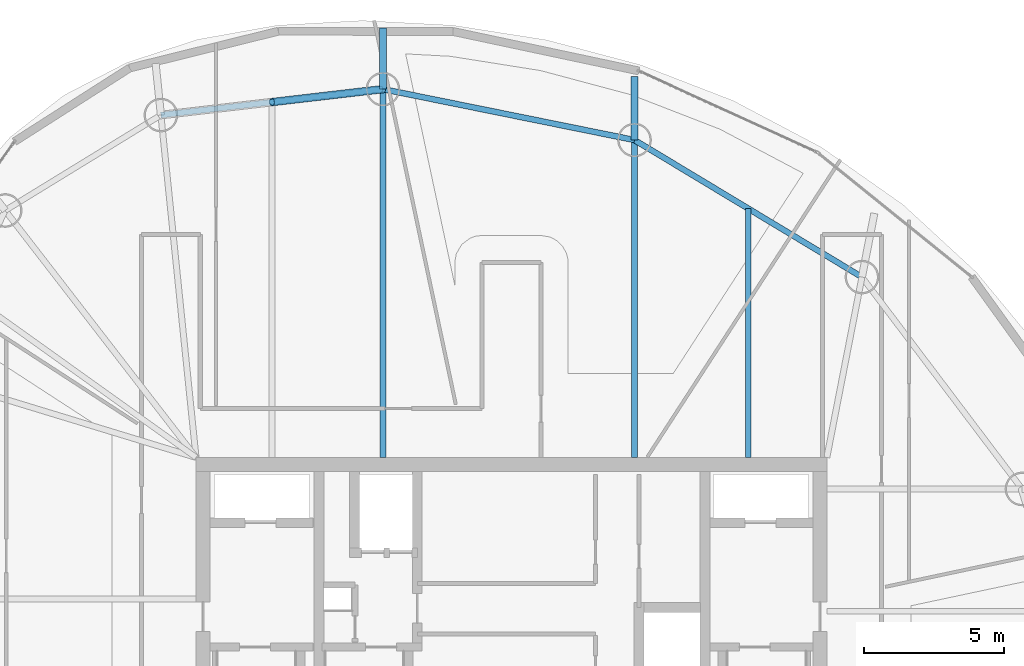
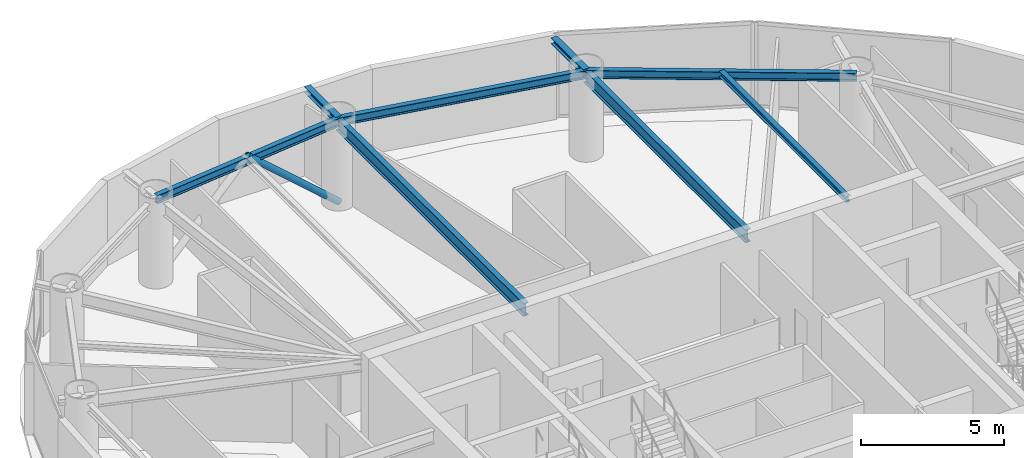
# One storey, part 9 of 19: 8 beams, 1 member.
"""IFC4 building model written with IfcOpenShell, lengths in metres."""

from ifc_helpers import new_model, si_unit, direction, frame, origin, origin_2d, place, context, subcontext, project, spatial, hollow_circle, i_section, extrude, material, material_profile, profile_set, type_object, element, save


model = new_model("IFC4")

# Units and contexts
model_context = context("Model", 3, precision=1e-05, world=origin(), true_north=direction((0.0, 1.0)))
body_context = subcontext(model_context, "Body", "Model", "MODEL_VIEW")
ifc_project = project(units=[si_unit("LENGTHUNIT", "METRE"), si_unit("AREAUNIT", "SQUARE_METRE"), si_unit("VOLUMEUNIT", "CUBIC_METRE"), si_unit("PLANEANGLEUNIT", "RADIAN"), si_unit("MASSUNIT", "GRAM", prefix="KILO")], contexts=[model_context])

# Site, building, storey
site_placement = place(None, origin())
site = spatial("IfcSite", under=ifc_project, at=site_placement, CompositionType="ELEMENT")
building_placement = place(site_placement, origin())
building = spatial("IfcBuilding", under=site, at=building_placement, Name="Bramvorn Convention Spire", CompositionType="ELEMENT")
storey_placement = place(building_placement, frame((0.0, 0.0, 217.39990234375)))
storey = spatial("IfcBuildingStorey", under=building, at=storey_placement, Name="L55", CompositionType="ELEMENT", Elevation=217.39990234375)

# Beams
ifc_material = material(Name="Steel CSA G40.21 Grade 350 (350W)", Category="steel")
ifc_material_profile_1 = material_profile(ifc_material, i_section(OverallWidth=0.201904296875, OverallDepth=0.2470703125, WebThickness=0.00732421875, FlangeThickness=0.010986328125, FilletRadius=0.011962890625, at=origin_2d()))
ifc_profile_set_1 = profile_set([ifc_material_profile_1], Name="Steel CSA G40.21 Grade 350 (350W) - W250X49")
beam_type_1 = type_object("IfcBeamType", Name="BM-W250X49", PredefinedType="JOIST", material=ifc_profile_set_1)
beam_1_placement = place(storey_placement, frame((46.445556640625, 33.449951171875, 3.49658203125), z_axis=(0.0, 1.0, 0.0), x_axis=(-1.0, 0.0, 0.0)))
element("IfcBeam", 1, at=beam_1_placement, inside=storey, type_object=beam_type_1, Name="L55 composite floor joist 05", PredefinedType="JOIST", context=body_context, shape_type="SweptSolid", body=[
    extrude(i_section(OverallWidth=0.201904296875, OverallDepth=0.2470703125, WebThickness=0.00732421875, FlangeThickness=0.010986328125, FilletRadius=0.011962890625, at=origin_2d()), origin(), (0.0, 0.0, 1.0), 8.878662109375),
])
ifc_material_profile_2 = material_profile(ifc_material, i_section(OverallWidth=0.25390625, OverallDepth=0.2529296875, WebThickness=0.008544921875, FlangeThickness=0.01416015625, FilletRadius=0.011962890625, at=origin_2d()))
ifc_profile_set_2 = profile_set([ifc_material_profile_2], Name="Steel CSA G40.21 Grade 350 (350W) - W250X73")
beam_type_2 = type_object("IfcBeamType", Name="BM-W250X73", PredefinedType="BEAM", material=ifc_profile_set_2)
beam_2_placement = place(storey_placement, frame((42.38916015625, 44.772216796875, 3.49365234375), z_axis=(0.0, 1.0, 0.0), x_axis=(-1.0, 0.0, 0.0)))
element("IfcBeam", 2, at=beam_2_placement, inside=storey, type_object=beam_type_2, Name="L55 slab-edge cantilever tip beam MC06", PredefinedType="BEAM", context=body_context, shape_type="SweptSolid", body=[
    extrude(i_section(OverallWidth=0.25390625, OverallDepth=0.2529296875, WebThickness=0.008544921875, FlangeThickness=0.01416015625, FilletRadius=0.011962890625, at=origin_2d()), origin(), (0.0, 0.0, 1.0), 2.258544921875),
])
beam_3_placement = place(storey_placement, frame((33.416259765625, 46.58837890625, 3.49365234375), z_axis=(0.0, 1.0, 0.0), x_axis=(-1.0, 0.0, 0.0)))
element("IfcBeam", 3, at=beam_3_placement, inside=storey, type_object=beam_type_2, Name="L55 slab-edge cantilever tip beam MC07", PredefinedType="BEAM", context=body_context, shape_type="SweptSolid", body=[
    extrude(i_section(OverallWidth=0.25390625, OverallDepth=0.2529296875, WebThickness=0.008544921875, FlangeThickness=0.01416015625, FilletRadius=0.011962890625, at=origin_2d()), origin(), (0.0, 0.0, 1.0), 2.1865234375),
])
ifc_material_profile_3 = material_profile(ifc_material, i_section(OverallWidth=0.205078125, OverallDepth=0.35400390625, WebThickness=0.009521484375, FlangeThickness=0.016845703125, FilletRadius=0.014892578125, at=origin_2d()))
ifc_profile_set_3 = profile_set([ifc_material_profile_3], Name="Steel CSA G40.21 Grade 350 (350W) - W360X79")
beam_type_3 = type_object("IfcBeamType", Name="BM-W360X79", PredefinedType="JOIST", material=ifc_profile_set_3)
beam_4_placement = place(storey_placement, frame((50.501953125, 39.885009765625, 3.443115234375), z_axis=(-0.856581795745, 0.516011266543, 0.0), x_axis=(-0.516011266543, -0.856581795745, 0.0)))
element("IfcBeam", 4, at=beam_4_placement, inside=storey, type_object=beam_type_3, Name="L55 mega-column ring beam 05", PredefinedType="JOIST", context=body_context, shape_type="SweptSolid", body=[
    extrude(i_section(OverallWidth=0.205078125, OverallDepth=0.35400390625, WebThickness=0.009521484375, FlangeThickness=0.016845703125, FilletRadius=0.014892578125, at=origin_2d()), origin(), (0.0, 0.0, 1.0), 9.47119140625),
])
beam_5_placement = place(storey_placement, frame((42.38916015625, 44.772216796875, 3.443115234375), z_axis=(-0.980124701676, 0.198382381187, 0.0), x_axis=(-0.198382381187, -0.980124701676, 0.0)))
element("IfcBeam", 5, at=beam_5_placement, inside=storey, type_object=beam_type_3, Name="L55 mega-column ring beam 06", PredefinedType="JOIST", context=body_context, shape_type="SweptSolid", body=[
    extrude(i_section(OverallWidth=0.205078125, OverallDepth=0.35400390625, WebThickness=0.009521484375, FlangeThickness=0.016845703125, FilletRadius=0.014892578125, at=origin_2d()), origin(), (0.0, 0.0, 1.0), 9.15478515625),
])
beam_6_placement = place(storey_placement, frame((33.416259765625, 46.58837890625, 3.443115234375), z_axis=(-0.993256148339, -0.115940604561, 0.0), x_axis=(0.115940604561, -0.993256148339, 0.0)))
element("IfcBeam", 6, at=beam_6_placement, inside=storey, type_object=beam_type_3, Name="L55 mega-column ring beam 07", PredefinedType="JOIST", context=body_context, shape_type="SweptSolid", body=[
    extrude(i_section(OverallWidth=0.205078125, OverallDepth=0.35400390625, WebThickness=0.009521484375, FlangeThickness=0.016845703125, FilletRadius=0.014892578125, at=origin_2d()), origin(), (0.0, 0.0, 1.0), 7.974365234375),
])
ifc_material_profile_4 = material_profile(ifc_material, i_section(OverallWidth=0.2119140625, OverallDepth=0.5439453125, WebThickness=0.01318359375, FlangeThickness=0.021240234375, FilletRadius=0.01904296875, at=origin_2d()))
ifc_profile_set_4 = profile_set([ifc_material_profile_4], Name="Steel CSA G40.21 Grade 350 (350W) - W530X123")
beam_type_4 = type_object("IfcBeamType", Name="BM-W530X123", PredefinedType="BEAM", material=ifc_profile_set_4)
beam_7_placement = place(storey_placement, frame((42.38916015625, 33.449951171875, 3.34814453125), z_axis=(0.0, 1.0, 0.0), x_axis=(-1.0, 0.0, 0.0)))
element("IfcBeam", 7, at=beam_7_placement, inside=storey, type_object=beam_type_4, Name="L55 radial floor girder MC06", PredefinedType="BEAM", context=body_context, shape_type="SweptSolid", body=[
    extrude(i_section(OverallWidth=0.2119140625, OverallDepth=0.5439453125, WebThickness=0.01318359375, FlangeThickness=0.021240234375, FilletRadius=0.01904296875, at=origin_2d()), origin(), (0.0, 0.0, 1.0), 11.322265625),
])
beam_8_placement = place(storey_placement, frame((33.416259765625, 33.449951171875, 3.34814453125), z_axis=(0.0, 1.0, 0.0), x_axis=(-1.0, 0.0, 0.0)))
element("IfcBeam", 8, at=beam_8_placement, inside=storey, type_object=beam_type_4, Name="L55 radial floor girder MC07", PredefinedType="BEAM", context=body_context, shape_type="SweptSolid", body=[
    extrude(i_section(OverallWidth=0.2119140625, OverallDepth=0.5439453125, WebThickness=0.01318359375, FlangeThickness=0.021240234375, FilletRadius=0.01904296875, at=origin_2d()), origin(), (0.0, 0.0, 1.0), 13.138427734375),
])

# Member
ifc_material_profile_5 = material_profile(ifc_material, hollow_circle(Radius=0.136474609375, WallThickness=0.0126953125, at=origin_2d()))
ifc_profile_set_5 = profile_set([ifc_material_profile_5], Name="Steel CSA G40.21 Grade 350 (350W) - CHS273X13")
member_type = type_object("IfcMemberType", Name="MBR-CHS273X13", PredefinedType="BRACE", material=ifc_profile_set_5)
member_placement = place(storey_placement, frame((33.416259765625, 46.58837890625, 0.0), z_axis=(-0.735383423132, -0.085859709247, 0.672189951807), x_axis=(0.115967281863, -0.993253033993, 0.0)))
element("IfcMember", 9, at=member_placement, inside=storey, type_object=member_type, Name="L55 perimeter Gothic lancet brace 7A", PredefinedType="BRACE", context=body_context, shape_type="SweptSolid", body=[
    extrude(hollow_circle(Radius=0.136474609375, WallThickness=0.0126953125, at=origin_2d()), origin(), (0.0, 0.0, 1.0), 5.385498046875),
])

save(model, "model.ifc")
